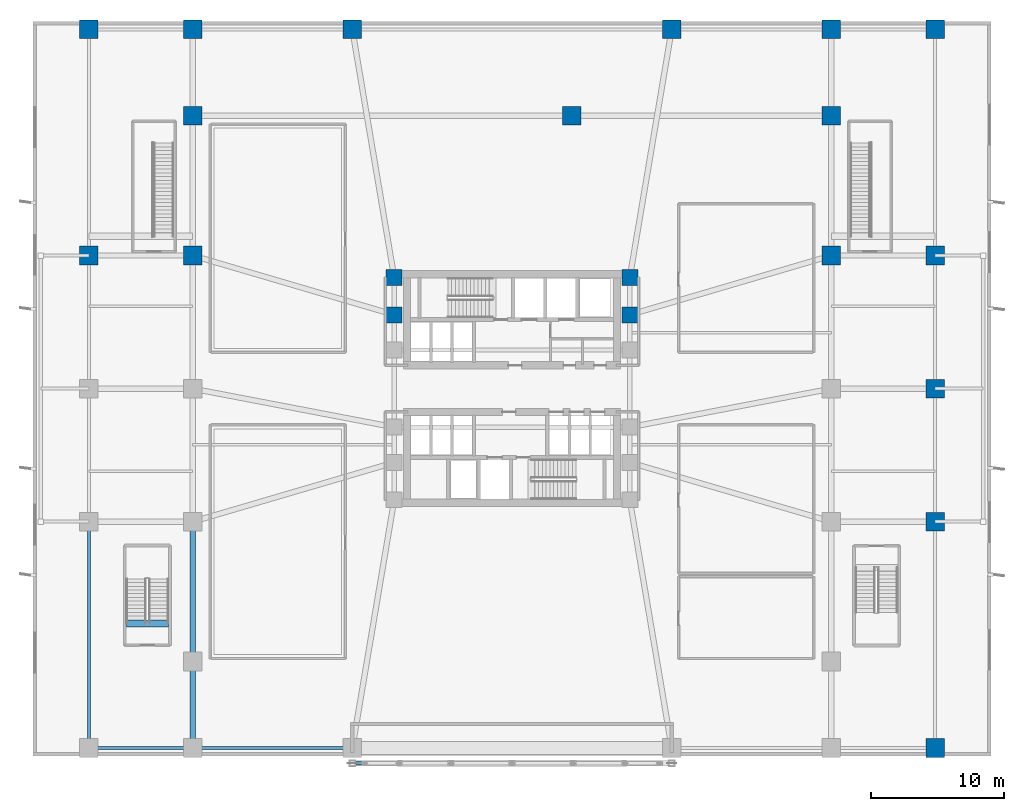
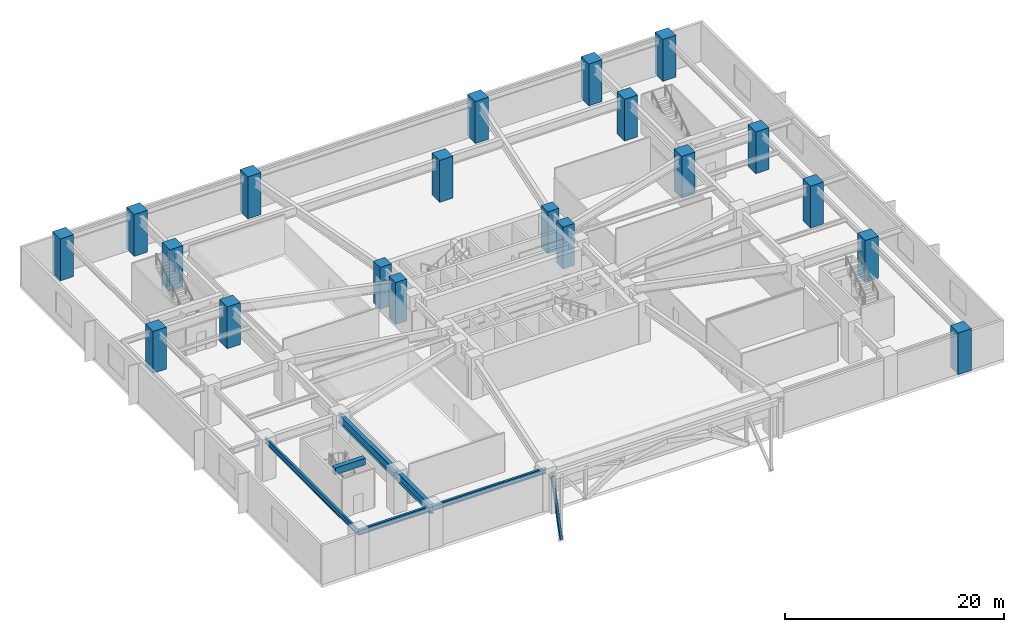
# One storey, part 2 of 21: 20 columns, 6 beams, 1 member.
"""IFC4 building model written with IfcOpenShell, lengths in metres."""

from ifc_helpers import new_model, si_unit, direction, frame, origin, origin_2d, place, context, subcontext, project, spatial, rectangle, hollow_rectangle, i_section, extrude, material, material_profile, profile_set, type_object, element, save


model = new_model("IFC4")

# Units and contexts
model_context = context("Model", 3, precision=1e-05, world=origin(), true_north=direction((0.0, 1.0)))
body_context = subcontext(model_context, "Body", "Model", "MODEL_VIEW")
ifc_project = project(units=[si_unit("LENGTHUNIT", "METRE"), si_unit("AREAUNIT", "SQUARE_METRE"), si_unit("VOLUMEUNIT", "CUBIC_METRE"), si_unit("PLANEANGLEUNIT", "RADIAN"), si_unit("MASSUNIT", "GRAM", prefix="KILO")], contexts=[model_context])

# Site, building, storey
site_placement = place(None, origin())
site = spatial("IfcSite", under=ifc_project, at=site_placement, CompositionType="ELEMENT")
building_placement = place(site_placement, origin())
building = spatial("IfcBuilding", under=site, at=building_placement, Name="Solmarez Civic Tower", CompositionType="ELEMENT")
storey_placement = place(building_placement, frame((0.0, 0.0, 10.080078125)))
storey = spatial("IfcBuildingStorey", under=building, at=storey_placement, Name="L02", CompositionType="ELEMENT", Elevation=10.080078125)

# Columns
ifc_material_1 = material(Name="Concrete C60/75", Category="concrete")
ifc_material_profile_1 = material_profile(ifc_material_1, rectangle(XDim=1.199951171875, YDim=1.199951171875, at=origin_2d()), Name="RC1200X1200")
ifc_profile_set_1 = profile_set([ifc_material_profile_1], Name="Concrete C60/75")
column_type_1 = type_object("IfcColumnType", Name="COL-RC1200", PredefinedType="COLUMN", material=ifc_profile_set_1)
for number, where, z_axis, x_axis, name in (
    (1, (-8.85009765625, 5.550048828125, 0.0), (0.0, 0.0, 1.0), (1.0, 0.0, 0.0), "L02 Structural Column HC4"),
    (2, (8.85009765625, 5.550048828125, 0.0), (0.0, 0.0, 1.0), (1.0, 0.0, 0.0), "L02 Structural Column HC8"),
    (3, (-8.85009765625, 8.35009765625, 0.0), (0.0, 0.0, 1.0), (1.0, 0.0, 0.0), "L02 Structural Column HC9"),
    (4, (8.85009765625, 8.35009765625, 0.0), (0.0, 0.0, 1.0), (1.0, 0.0, 0.0), "L02 Structural Column HC11"),
):
    element("IfcColumn", number, at=place(storey_placement, frame(where, z_axis=z_axis, x_axis=x_axis)), inside=storey, type_object=column_type_1, Name=name, PredefinedType="COLUMN", context=body_context, shape_type="SweptSolid", body=[
        extrude(rectangle(XDim=1.199951171875, YDim=1.199951171875, at=origin_2d()), origin(), (0.0, 0.0, 1.0), 4.679931640625),
    ])
ifc_material_profile_2 = material_profile(ifc_material_1, rectangle(XDim=1.39990234375, YDim=1.39990234375, at=origin_2d()), Name="RC1400X1400")
ifc_profile_set_2 = profile_set([ifc_material_profile_2], Name="Concrete C60/75")
column_type_2 = type_object("IfcColumnType", Name="COL-RC1400", PredefinedType="COLUMN", material=ifc_profile_set_2)
for number, where, z_axis, x_axis, name in (
    (5, (31.800048828125, -27.0, 0.0), (0.0, 0.0, 1.0), (1.0, 0.0, 0.0), "L02 Structural Column PC06"),
    (6, (-31.800048828125, 27.0, 0.0), (0.0, 0.0, 1.0), (1.0, 0.0, 0.0), "L02 Structural Column PC07"),
    (7, (-24.0, 27.0, 0.0), (0.0, 0.0, 1.0), (1.0, 0.0, 0.0), "L02 Structural Column PC08"),
    (8, (-12.0, 27.0, 0.0), (0.0, 0.0, 1.0), (1.0, 0.0, 0.0), "L02 Structural Column PC09"),
    (9, (12.0, 27.0, 0.0), (0.0, 0.0, 1.0), (1.0, 0.0, 0.0), "L02 Structural Column PC10"),
    (10, (24.0, 27.0, 0.0), (0.0, 0.0, 1.0), (1.0, 0.0, 0.0), "L02 Structural Column PC11"),
    (11, (31.800048828125, 27.0, 0.0), (0.0, 0.0, 1.0), (1.0, 0.0, 0.0), "L02 Structural Column PC12"),
    (12, (-31.800048828125, 10.0, 0.0), (0.0, 0.0, 1.0), (1.0, 0.0, 0.0), "L02 Structural Column PC15"),
    (13, (31.800048828125, -10.0, 0.0), (0.0, 0.0, 1.0), (1.0, 0.0, 0.0), "L02 Structural Column PC16"),
    (14, (31.800048828125, 0.0, 0.0), (0.0, 0.0, 1.0), (1.0, 0.0, 0.0), "L02 Structural Column PC17"),
    (15, (31.800048828125, 10.0, 0.0), (0.0, 0.0, 1.0), (1.0, 0.0, 0.0), "L02 Structural Column PC18"),
    (16, (-24.0, 10.0, 0.0), (0.0, 0.0, 1.0), (1.0, 0.0, 0.0), "L02 Structural Column PC21"),
    (17, (24.0, 10.0, 0.0), (0.0, 0.0, 1.0), (1.0, 0.0, 0.0), "L02 Structural Column PC24"),
    (18, (4.5, 20.5, 0.0), (0.0, 0.0, 1.0), (1.0, 0.0, 0.0), "L02 Structural Column PC25"),
    (19, (-24.0, 20.5, 0.0), (0.0, 0.0, 1.0), (1.0, 0.0, 0.0), "L02 Structural Column PC29"),
    (20, (24.0, 20.5, 0.0), (0.0, 0.0, 1.0), (1.0, 0.0, 0.0), "L02 Structural Column PC30"),
):
    element("IfcColumn", number, at=place(storey_placement, frame(where, z_axis=z_axis, x_axis=x_axis)), inside=storey, type_object=column_type_2, Name=name, PredefinedType="COLUMN", context=body_context, shape_type="SweptSolid", body=[
        extrude(rectangle(XDim=1.39990234375, YDim=1.39990234375, at=origin_2d()), origin(), (0.0, 0.0, 1.0), 4.679931640625),
    ])

# Beams
ifc_material_2 = material(Name="Concrete C50/60", Category="concrete")
ifc_material_profile_3 = material_profile(ifc_material_2, rectangle(XDim=0.5, YDim=0.75, at=origin_2d()), Name="RC500X750")
ifc_profile_set_3 = profile_set([ifc_material_profile_3], Name="Concrete C50/60")
beam_type_1 = type_object("IfcBeamType", Name="BM-PR-RC500X750", PredefinedType="BEAM", material=ifc_profile_set_3)
beam_1_placement = place(storey_placement, frame((-28.97998046875, -17.64990234375, 4.31103515625), z_axis=(1.0, 0.0, 0.0), x_axis=(0.0, 1.0, 0.0)))
element("IfcBeam", 21, at=beam_1_placement, inside=storey, type_object=beam_type_1, Name="L02 West Podium Stair Threshold Beam", PredefinedType="BEAM", context=body_context, shape_type="SweptSolid", body=[
    extrude(rectangle(XDim=0.5, YDim=0.75, at=origin_2d()), origin(), (0.0, 0.0, 1.0), 3.159912109375),
])
ifc_material_3 = material(Name="Steel S355", Category="steel")
ifc_material_profile_4 = material_profile(ifc_material_3, i_section(OverallWidth=0.39892578125, OverallDepth=0.98193359375, WebThickness=0.0166015625, FlangeThickness=0.027099609375, at=origin_2d()), Name="W40X199")
ifc_profile_set_4 = profile_set([ifc_material_profile_4], Name="Steel S355")
beam_type_2 = type_object("IfcBeamType", Name="BM-PR-W40X199", PredefinedType="BEAM", material=ifc_profile_set_4)
beam_2_placement = place(storey_placement, frame((-24.0, -27.0, 3.868896484375), z_axis=(0.0, 1.0, 0.0), x_axis=(-1.0, 0.0, 0.0)))
element("IfcBeam", 22, at=beam_2_placement, inside=storey, type_object=beam_type_2, Name="L02 Primary Floor Beam BM-L02-PC02-PC27", PredefinedType="BEAM", context=body_context, shape_type="SweptSolid", body=[
    extrude(i_section(OverallWidth=0.39892578125, OverallDepth=0.98193359375, WebThickness=0.0166015625, FlangeThickness=0.027099609375, at=origin_2d()), origin(), (0.0, 0.0, 1.0), 6.5),
])
beam_3_placement = place(storey_placement, frame((-24.0, -20.5, 3.868896484375), z_axis=(0.0, 1.0, 0.0), x_axis=(-1.0, 0.0, 0.0)))
element("IfcBeam", 23, at=beam_3_placement, inside=storey, type_object=beam_type_2, Name="L02 Primary Floor Beam BM-L02-PC27-PC19", PredefinedType="BEAM", context=body_context, shape_type="SweptSolid", body=[
    extrude(i_section(OverallWidth=0.39892578125, OverallDepth=0.98193359375, WebThickness=0.0166015625, FlangeThickness=0.027099609375, at=origin_2d()), origin(), (0.0, 0.0, 1.0), 10.5),
])
ifc_material_profile_5 = material_profile(ifc_material_3, i_section(OverallWidth=0.22900390625, OverallDepth=0.612060546875, WebThickness=0.011962890625, FlangeThickness=0.01953125, at=origin_2d()), Name="W24X84")
ifc_profile_set_5 = profile_set([ifc_material_profile_5], Name="Steel S355")
beam_type_3 = type_object("IfcBeamType", Name="BM-SP-W24X84", PredefinedType="SPANDREL", material=ifc_profile_set_5)
beam_4_placement = place(storey_placement, frame((-31.800048828125, -27.0, 4.053955078125), z_axis=(1.0, 0.0, 0.0), x_axis=(0.0, 1.0, 0.0)))
element("IfcBeam", 24, at=beam_4_placement, inside=storey, type_object=beam_type_3, Name="L02 Perimeter Spandrel Beam BM-L02-PC01-PC02", PredefinedType="SPANDREL", context=body_context, shape_type="SweptSolid", body=[
    extrude(i_section(OverallWidth=0.22900390625, OverallDepth=0.612060546875, WebThickness=0.011962890625, FlangeThickness=0.01953125, at=origin_2d()), origin(), (0.0, 0.0, 1.0), 7.800048828125),
])
beam_5_placement = place(storey_placement, frame((-24.0, -27.0, 4.053955078125), z_axis=(1.0, 0.0, 0.0), x_axis=(0.0, 1.0, 0.0)))
element("IfcBeam", 25, at=beam_5_placement, inside=storey, type_object=beam_type_3, Name="L02 Perimeter Spandrel Beam BM-L02-PC02-PC03", PredefinedType="SPANDREL", context=body_context, shape_type="SweptSolid", body=[
    extrude(i_section(OverallWidth=0.22900390625, OverallDepth=0.612060546875, WebThickness=0.011962890625, FlangeThickness=0.01953125, at=origin_2d()), origin(), (0.0, 0.0, 1.0), 12.0),
])
beam_6_placement = place(storey_placement, frame((-31.800048828125, -27.0, 4.053955078125), z_axis=(0.0, 1.0, 0.0), x_axis=(-1.0, 0.0, 0.0)))
element("IfcBeam", 26, at=beam_6_placement, inside=storey, type_object=beam_type_3, Name="L02 Perimeter Spandrel Beam BM-L02-PC01-PC13", PredefinedType="SPANDREL", context=body_context, shape_type="SweptSolid", body=[
    extrude(i_section(OverallWidth=0.22900390625, OverallDepth=0.612060546875, WebThickness=0.011962890625, FlangeThickness=0.01953125, at=origin_2d()), origin(), (0.0, 0.0, 1.0), 17.0),
])

# Member
ifc_material_profile_6 = material_profile(ifc_material_3, hollow_rectangle(XDim=0.25, YDim=0.25, WallThickness=0.011962890625, at=origin_2d()), Name="HSS250X250X12")
ifc_profile_set_6 = profile_set([ifc_material_profile_6], Name="Steel S355")
member_type = type_object("IfcMemberType", Name="MEM-BRC-HSS250", PredefinedType="BRACE", material=ifc_profile_set_6)
member_placement = place(storey_placement, frame((-12.0, -28.14990234375, 4.06982421875), z_axis=(0.123932773611, 0.0, -0.992290616516), x_axis=(0.0, 1.0, 0.0)))
element("IfcMember", 27, at=member_placement, inside=storey, type_object=member_type, Name="South Civic Arch Spandrel Diagonal 1", PredefinedType="BRACE", context=body_context, shape_type="SweptSolid", body=[
    extrude(hollow_rectangle(XDim=0.25, YDim=0.25, WallThickness=0.011962890625, at=origin_2d()), origin(), (0.0, 0.0, 1.0), 7.36767578125),
])

save(model, "model.ifc")
